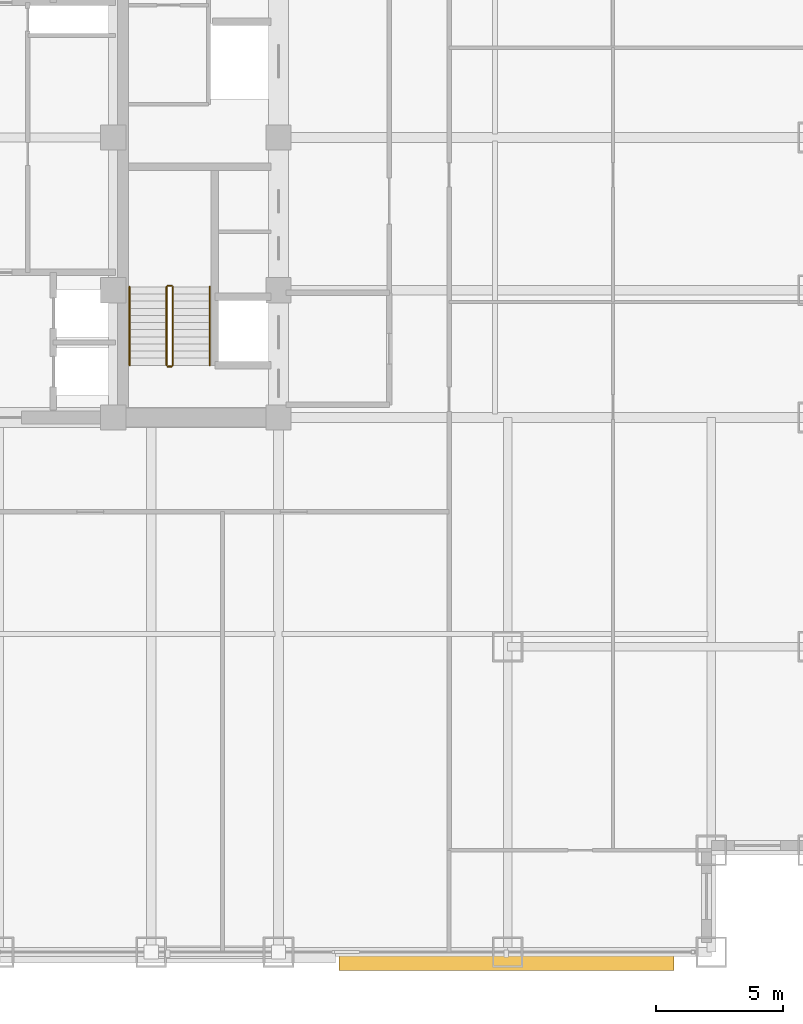
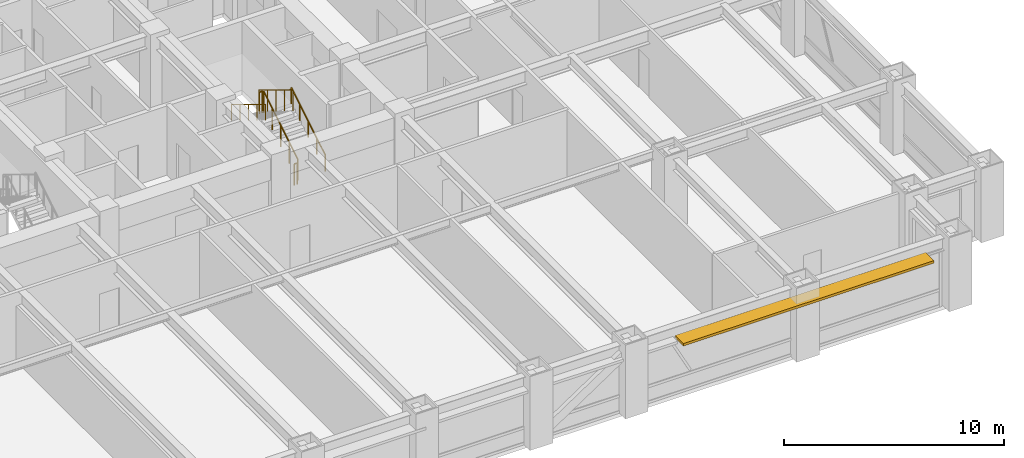
# One storey, part 30 of 32: 6 railings, 1 shading device.
"""IFC4 building model written with IfcOpenShell, lengths in metres."""

from ifc_helpers import new_model, si_unit, direction, frame, origin, origin_2d, place, context, subcontext, project, spatial, rectangle, circle, extrude, source, transform, mapped, material, layer, layer_set, type_object, element, save


model = new_model("IFC4")

# Units and contexts
model_context = context("Model", 3, precision=1e-05, world=origin(), true_north=direction((0.0, 1.0)))
body_context = subcontext(model_context, "Body", "Model", "MODEL_VIEW")
ifc_project = project(units=[si_unit("LENGTHUNIT", "METRE"), si_unit("AREAUNIT", "SQUARE_METRE"), si_unit("VOLUMEUNIT", "CUBIC_METRE"), si_unit("PLANEANGLEUNIT", "RADIAN"), si_unit("MASSUNIT", "GRAM", prefix="KILO")], contexts=[model_context])

# Site, building, storey
site_placement = place(None, origin())
site = spatial("IfcSite", under=ifc_project, at=site_placement, CompositionType="ELEMENT")
building_placement = place(site_placement, origin())
building = spatial("IfcBuilding", under=site, at=building_placement, Name="Khorayat Bourse Tower", CompositionType="ELEMENT")
storey_placement = place(building_placement, frame((0.0, 0.0, 128.300048828125)))
storey = spatial("IfcBuildingStorey", under=building, at=storey_placement, Name="L29", CompositionType="ELEMENT", Elevation=128.300048828125)

# Shading device
ifc_material_1 = material(Name="Precast concrete C45/55", Category="concrete")
ifc_layer = layer(ifc_material_1, 0.139892578125)
ifc_layer_set = layer_set([ifc_layer], Name="Precast concrete C45/55")
shading_device_type = type_object("IfcShadingDeviceType", Name="SHD-WAVE-TRAY-B", PredefinedType="USERDEFINED", material=ifc_layer_set)
shared_shape_1 = source(origin(), body_context, "Body", "SweptSolid", [
    extrude(rectangle(XDim=13.159912109375, YDim=0.751953125, at=origin_2d()), origin(), (0.0, 0.0, 1.0), 0.139892578125),
])
shading_device_placement = place(storey_placement, frame((19.949951171875, -32.35595703125, 3.08984375), z_axis=(0.0, 0.0, 1.0), x_axis=(1.0, 0.0, 0.0)))
element("IfcShadingDevice", 1, at=shading_device_placement, inside=storey, type_object=shading_device_type, Name="L29 Sinusoidal Wave Sunshade Tray S-4", ObjectType="SUNSHADE", PredefinedType="USERDEFINED", context=body_context, shape_type="MappedRepresentation", body=[
    mapped(shared_shape_1, transform((0.0, 0.0, 0.0), scale=1.0)),
])

# Railings
ifc_material_2 = material(Name="Powder-coated steel balustrade", Category="steel")
railing_type_1 = type_object("IfcRailingType", Name="RLG-GUARD-1200", PredefinedType="GUARDRAIL", material=ifc_material_2)
shared_shape_2 = source(origin(), body_context, "Body", "SweptSolid", [
    extrude(circle(Radius=0.02392578125, at=origin_2d()), frame((0.0, 0.0, 1.17578125), z_axis=(-1.0, 0.0, 0.0), x_axis=(0.0, -1.0, 0.0)), (0.0, 0.0, 1.0), 0.150146484375),
    extrude(circle(Radius=0.02099609375, at=origin_2d()), origin(), (0.0, 0.0, 1.0), 1.15185546875),
    extrude(circle(Radius=0.02099609375, at=origin_2d()), frame((-0.150146484375, 0.0, 0.0)), (0.0, 0.0, 1.0), 1.15185546875),
])
for number, where, name in (
    (2, (6.800048828125, -5.820068359375, 2.050048828125), "L29 ST-3 stair guard 2"),
    (3, (6.800048828125, -9.0, 0.0), "L29 ST-3 stair guard 4"),
):
    element("IfcRailing", number, at=place(storey_placement, frame(where)), inside=storey, type_object=railing_type_1, Name=name, PredefinedType="GUARDRAIL", context=body_context, shape_type="MappedRepresentation", body=[
        mapped(shared_shape_2, transform((0.0, 0.0, 0.0), scale=1.0)),
    ])
shared_shape_3 = source(origin(), body_context, "Body", "SweptSolid", [
    extrude(circle(Radius=0.02392578125, at=origin_2d()), frame((0.0, 0.0, 1.17578125), z_axis=(0.0, 0.853647949592, 0.520850437417), x_axis=(-1.0, 0.0, 0.0)), (0.0, 0.0, 1.0), 3.60791015625),
    extrude(circle(Radius=0.02099609375, at=origin_2d()), origin(), (0.0, 0.0, 1.0), 1.15185546875),
    extrude(circle(Radius=0.02099609375, at=origin_2d()), frame((0.0, 0.77001953125, 0.4697265625)), (0.0, 0.0, 1.0), 1.15185546875),
    extrude(circle(Radius=0.02099609375, at=origin_2d()), frame((0.0, 1.5400390625, 0.939453125)), (0.0, 0.0, 1.0), 1.15185546875),
    extrude(circle(Radius=0.02099609375, at=origin_2d()), frame((0.0, 2.309814453125, 1.409423828125)), (0.0, 0.0, 1.0), 1.15185546875),
    extrude(circle(Radius=0.02099609375, at=origin_2d()), frame((0.0, 3.079833984375, 1.879150390625)), (0.0, 0.0, 1.0), 1.15185546875),
])
railing_1_placement = place(storey_placement, frame((6.85009765625, -8.949951171875, 0.1708984375)))
element("IfcRailing", 4, at=railing_1_placement, inside=storey, type_object=railing_type_1, Name="L29 ST-3 stair guard 1", PredefinedType="GUARDRAIL", context=body_context, shape_type="MappedRepresentation", body=[
    mapped(shared_shape_3, transform((0.0, 0.0, 0.0), scale=1.0)),
])
shared_shape_4 = source(origin(), body_context, "Body", "SweptSolid", [
    extrude(circle(Radius=0.02392578125, at=origin_2d()), frame((0.0, 0.0, 1.17578125), z_axis=(0.0, -0.853647949592, 0.520850437417), x_axis=(1.0, 0.0, 0.0)), (0.0, 0.0, 1.0), 3.60791015625),
    extrude(circle(Radius=0.02099609375, at=origin_2d()), origin(), (0.0, 0.0, 1.0), 1.15185546875),
    extrude(circle(Radius=0.02099609375, at=origin_2d()), frame((0.0, -0.77001953125, 0.4697265625)), (0.0, 0.0, 1.0), 1.15185546875),
    extrude(circle(Radius=0.02099609375, at=origin_2d()), frame((0.0, -1.5400390625, 0.939453125)), (0.0, 0.0, 1.0), 1.15185546875),
    extrude(circle(Radius=0.02099609375, at=origin_2d()), frame((0.0, -2.309814453125, 1.409423828125)), (0.0, 0.0, 1.0), 1.15185546875),
    extrude(circle(Radius=0.02099609375, at=origin_2d()), frame((0.0, -3.079833984375, 1.879150390625)), (0.0, 0.0, 1.0), 1.15185546875),
])
railing_2_placement = place(storey_placement, frame((6.60009765625, -5.8701171875, 2.220703125)))
element("IfcRailing", 5, at=railing_2_placement, inside=storey, type_object=railing_type_1, Name="L29 ST-3 stair guard 3", PredefinedType="GUARDRAIL", context=body_context, shape_type="MappedRepresentation", body=[
    mapped(shared_shape_4, transform((0.0, 0.0, 0.0), scale=1.0)),
])
ifc_material_3 = material(Name="Brushed bronze stainless-steel handrail", Category="steel")
railing_type_2 = type_object("IfcRailingType", Name="RLG-HAND-900", PredefinedType="HANDRAIL", material=ifc_material_3)
shared_shape_5 = source(origin(), body_context, "Body", "SweptSolid", [
    extrude(circle(Radius=0.02392578125, at=origin_2d()), frame((0.0, 0.0, 0.8759765625), z_axis=(0.0, 0.853647949592, 0.520850437417), x_axis=(-1.0, 0.0, 0.0)), (0.0, 0.0, 1.0), 3.60791015625),
    extrude(circle(Radius=0.02099609375, at=origin_2d()), origin(), (0.0, 0.0, 1.0), 0.851806640625),
    extrude(circle(Radius=0.02099609375, at=origin_2d()), frame((0.0, 0.77001953125, 0.4697265625)), (0.0, 0.0, 1.0), 0.851806640625),
    extrude(circle(Radius=0.02099609375, at=origin_2d()), frame((0.0, 1.5400390625, 0.939453125)), (0.0, 0.0, 1.0), 0.851806640625),
    extrude(circle(Radius=0.02099609375, at=origin_2d()), frame((0.0, 2.309814453125, 1.409423828125)), (0.0, 0.0, 1.0), 0.851806640625),
    extrude(circle(Radius=0.02099609375, at=origin_2d()), frame((0.0, 3.079833984375, 1.879150390625)), (0.0, 0.0, 1.0), 0.851806640625),
])
railing_3_placement = place(storey_placement, frame((8.300048828125, -8.949951171875, 0.1708984375)))
element("IfcRailing", 6, at=railing_3_placement, inside=storey, type_object=railing_type_2, Name="L29 ST-3 stair handrail 1", PredefinedType="HANDRAIL", context=body_context, shape_type="MappedRepresentation", body=[
    mapped(shared_shape_5, transform((0.0, 0.0, 0.0), scale=1.0)),
])
shared_shape_6 = source(origin(), body_context, "Body", "SweptSolid", [
    extrude(circle(Radius=0.02392578125, at=origin_2d()), frame((0.0, 0.0, 0.8759765625), z_axis=(0.0, -0.853647949592, 0.520850437417), x_axis=(1.0, 0.0, 0.0)), (0.0, 0.0, 1.0), 3.60791015625),
    extrude(circle(Radius=0.02099609375, at=origin_2d()), origin(), (0.0, 0.0, 1.0), 0.851806640625),
    extrude(circle(Radius=0.02099609375, at=origin_2d()), frame((0.0, -0.77001953125, 0.4697265625)), (0.0, 0.0, 1.0), 0.851806640625),
    extrude(circle(Radius=0.02099609375, at=origin_2d()), frame((0.0, -1.5400390625, 0.939453125)), (0.0, 0.0, 1.0), 0.851806640625),
    extrude(circle(Radius=0.02099609375, at=origin_2d()), frame((0.0, -2.309814453125, 1.409423828125)), (0.0, 0.0, 1.0), 0.851806640625),
    extrude(circle(Radius=0.02099609375, at=origin_2d()), frame((0.0, -3.079833984375, 1.879150390625)), (0.0, 0.0, 1.0), 0.851806640625),
])
railing_4_placement = place(storey_placement, frame((5.14990234375, -5.8701171875, 2.220703125)))
element("IfcRailing", 7, at=railing_4_placement, inside=storey, type_object=railing_type_2, Name="L29 ST-3 stair handrail 2", PredefinedType="HANDRAIL", context=body_context, shape_type="MappedRepresentation", body=[
    mapped(shared_shape_6, transform((0.0, 0.0, 0.0), scale=1.0)),
])

save(model, "model.ifc")
